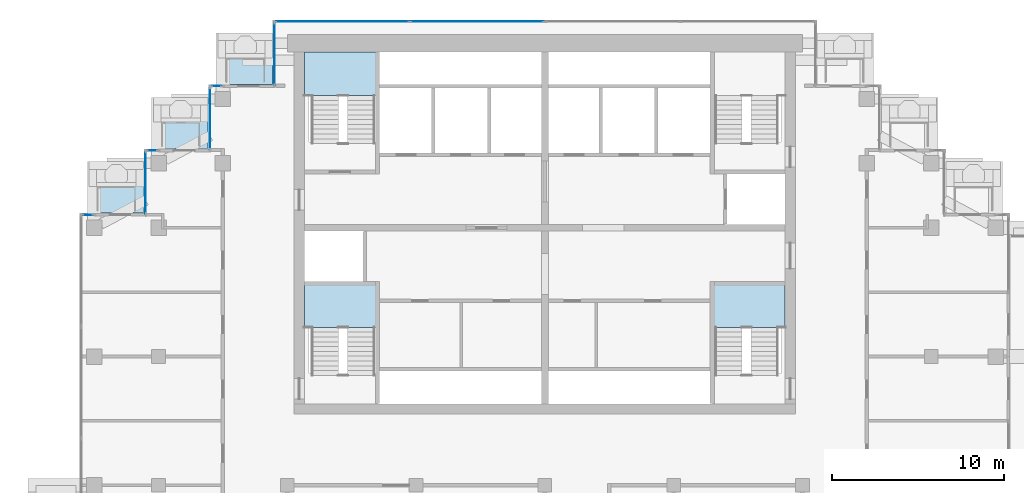
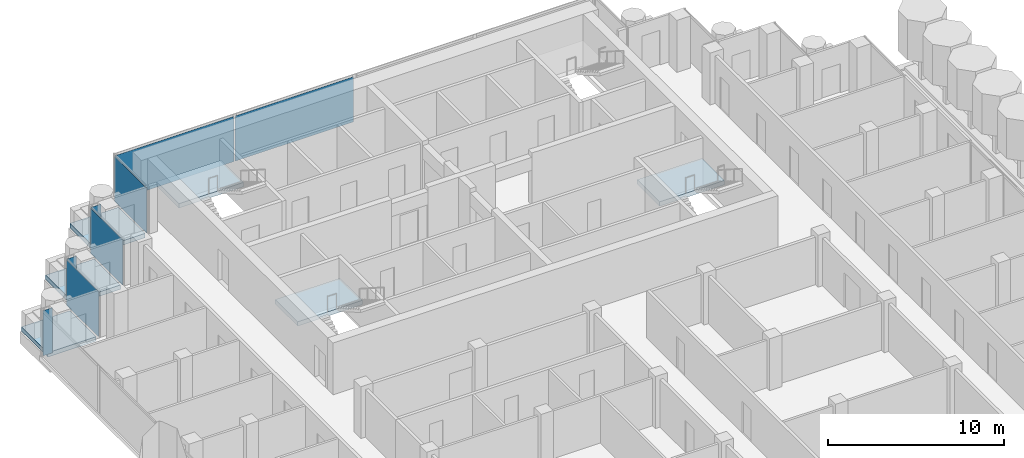
# One storey, part 9 of 19: 8 plates, 6 slabs, 10 elements without a shape of their own.
"""IFC4 building model written with IfcOpenShell, lengths in metres."""

from ifc_helpers import new_model, si_unit, direction, frame, origin, origin_2d, place, context, subcontext, project, spatial, polyline, rectangle, outline, extrude, material, layer, layer_set, type_object, element, aggregate, save


model = new_model("IFC4")

# Units and contexts
model_context = context("Model", 3, precision=1e-05, world=origin(), true_north=direction((0.0, 1.0)))
body_context = subcontext(model_context, "Body", "Model", "MODEL_VIEW")
ifc_project = project(units=[si_unit("LENGTHUNIT", "METRE"), si_unit("AREAUNIT", "SQUARE_METRE"), si_unit("VOLUMEUNIT", "CUBIC_METRE"), si_unit("PLANEANGLEUNIT", "RADIAN"), si_unit("MASSUNIT", "GRAM", prefix="KILO")], contexts=[model_context])

# Site, building, storey
site_placement = place(None, origin())
site = spatial("IfcSite", under=ifc_project, at=site_placement, CompositionType="ELEMENT")
building_placement = place(site_placement, origin())
building = spatial("IfcBuilding", under=site, at=building_placement, Name="Pilkhan Gate Tower", CompositionType="ELEMENT")
storey_placement = place(building_placement, frame((0.0, 0.0, 246.300048828125)))
storey = spatial("IfcBuildingStorey", under=building, at=storey_placement, Name="L64", CompositionType="ELEMENT", Elevation=246.300048828125)

# Slabs
ifc_material_1 = material(Name="Concrete C60/75", Category="concrete")
ifc_layer_1 = layer(ifc_material_1, 0.300048828125)
ifc_layer_set_1 = layer_set([ifc_layer_1], Name="Balcony tray slab TR300")
slab_type_1 = type_object("IfcSlabType", Name="Balcony tray slab TR300", PredefinedType="FLOOR", material=ifc_layer_set_1)
slab_1_placement = place(storey_placement, frame((0.0, 0.0, -0.300048828125)))
element("IfcSlab", 1, at=slab_1_placement, inside=storey, type_object=slab_type_1, Name="Balcony tray L64 N", PredefinedType="FLOOR", context=body_context, shape_type="SweptSolid", body=[
    extrude(outline(polyline([(59.14990234375, 90.85009765625), (59.14990234375, 93.85009765625), (55.949951171875, 93.85009765625), (55.949951171875, 90.85009765625), (59.14990234375, 90.85009765625)])), origin(), (0.0, 0.0, 1.0), 0.300048828125),
])
slab_2_placement = place(storey_placement, frame((0.0, 0.0, -0.300048828125)))
element("IfcSlab", 2, at=slab_2_placement, inside=storey, type_object=slab_type_1, Name="Balcony tray L64 N", PredefinedType="FLOOR", context=body_context, shape_type="SweptSolid", body=[
    extrude(outline(polyline([(55.3798828125, 87.1201171875), (55.3798828125, 90.10009765625), (52.199951171875, 90.10009765625), (52.199951171875, 87.1201171875), (55.3798828125, 87.1201171875)])), origin(), (0.0, 0.0, 1.0), 0.300048828125),
])
slab_3_placement = place(storey_placement, frame((0.0, 0.0, -0.300048828125)))
element("IfcSlab", 3, at=slab_3_placement, inside=storey, type_object=slab_type_1, Name="Balcony tray L64 N", PredefinedType="FLOOR", context=body_context, shape_type="SweptSolid", body=[
    extrude(outline(polyline([(51.6298828125, 83.3701171875), (51.6298828125, 86.35009765625), (48.449951171875, 86.35009765625), (48.449951171875, 83.3701171875), (51.6298828125, 83.3701171875)])), origin(), (0.0, 0.0, 1.0), 0.300048828125),
])

# Curtain wall, plates
ifc_material_2 = material(Name="Pale anodised aluminium, clear low-iron double glazing", Category="aluminium")
curtain_wall_type = type_object("IfcCurtainWallType", Name="Office unitised curtain wall CW-O2", PredefinedType="USERDEFINED", material=ifc_material_2)
curtain_wall_1_placement = place(storey_placement, origin())
curtain_wall_1 = element("IfcCurtainWall", 4, at=curtain_wall_1_placement, inside=storey, type_object=curtain_wall_type, Name="Office unitised curtain wall CW-O2 L64 N", ObjectType="UNITISED CURTAIN WALL", PredefinedType="USERDEFINED")
ifc_material_3 = material(Name="Clear low-iron double glazing", Category="glass")
ifc_layer_2 = layer(ifc_material_3, 0.031982421875)
ifc_layer_set_2 = layer_set([ifc_layer_2], Name="Glass panel CW-O2 32")
plate_type = type_object("IfcPlateType", Name="Glass panel CW-O2 32", PredefinedType="CURTAIN_PANEL", material=ifc_layer_set_2)
plate_1_placement = place(storey_placement, frame((63.203857421875, 94.5, 0.0), z_axis=(0.0, 0.0, 1.0), x_axis=(1.0, 0.0, 0.0)))
plate_1 = element("IfcPlate", 5, at=plate_1_placement, type_object=plate_type, Name="CW-O2 panel 1", PredefinedType="CURTAIN_PANEL", context=body_context, shape_type="SweptSolid", body=[
    extrude(rectangle(XDim=7.777587890625, YDim=0.031982421875, at=origin_2d()), origin(), (0.0, 0.0, 1.0), 3.135009765625),
])
plate_2_placement = place(storey_placement, frame((71.046142578125, 94.5, 0.0), z_axis=(0.0, 0.0, 1.0), x_axis=(1.0, 0.0, 0.0)))
plate_2 = element("IfcPlate", 6, at=plate_2_placement, type_object=plate_type, Name="CW-O2 panel 2", PredefinedType="CURTAIN_PANEL", context=body_context, shape_type="SweptSolid", body=[
    extrude(rectangle(XDim=7.777587890625, YDim=0.031982421875, at=origin_2d()), origin(), (0.0, 0.0, 1.0), 3.135009765625),
])
aggregate(curtain_wall_1, [plate_1, plate_2])

# Curtain wall, plate
curtain_wall_2_placement = place(storey_placement, origin())
curtain_wall_2 = element("IfcCurtainWall", 7, at=curtain_wall_2_placement, inside=storey, type_object=curtain_wall_type, Name="Office unitised curtain wall CW-O2 L64 W", ObjectType="UNITISED CURTAIN WALL", PredefinedType="USERDEFINED")
plate_3_placement = place(storey_placement, frame((59.25, 92.625, 0.0), z_axis=(0.0, 0.0, 1.0), x_axis=(0.0, 1.0, 0.0)))
plate_3 = element("IfcPlate", 8, at=plate_3_placement, type_object=plate_type, Name="CW-O2 panel 1", PredefinedType="CURTAIN_PANEL", context=body_context, shape_type="SweptSolid", body=[
    extrude(rectangle(XDim=3.6201171875, YDim=0.031982421875, at=origin_2d()), origin(), (0.0, 0.0, 1.0), 3.135009765625),
])
aggregate(curtain_wall_2, [plate_3])

curtain_wall_3_placement = place(storey_placement, origin())
curtain_wall_3 = element("IfcCurtainWall", 9, at=curtain_wall_3_placement, inside=storey, type_object=curtain_wall_type, Name="Office unitised curtain wall CW-O2 L64 N", ObjectType="UNITISED CURTAIN WALL", PredefinedType="USERDEFINED")
plate_4_placement = place(storey_placement, frame((55.875, 90.75, 0.0), z_axis=(0.0, 0.0, 1.0), x_axis=(1.0, 0.0, 0.0)))
plate_4 = element("IfcPlate", 10, at=plate_4_placement, type_object=plate_type, Name="CW-O2 panel 1", PredefinedType="CURTAIN_PANEL", context=body_context, shape_type="SweptSolid", body=[
    extrude(rectangle(XDim=0.6201171875, YDim=0.031982421875, at=origin_2d()), origin(), (0.0, 0.0, 1.0), 3.135009765625),
])
aggregate(curtain_wall_3, [plate_4])

curtain_wall_4_placement = place(storey_placement, origin())
curtain_wall_4 = element("IfcCurtainWall", 11, at=curtain_wall_4_placement, inside=storey, type_object=curtain_wall_type, Name="Office unitised curtain wall CW-O2 L64 W", ObjectType="UNITISED CURTAIN WALL", PredefinedType="USERDEFINED")
plate_5_placement = place(storey_placement, frame((55.5, 88.875, 0.0), z_axis=(0.0, 0.0, 1.0), x_axis=(0.0, 1.0, 0.0)))
plate_5 = element("IfcPlate", 12, at=plate_5_placement, type_object=plate_type, Name="CW-O2 panel 1", PredefinedType="CURTAIN_PANEL", context=body_context, shape_type="SweptSolid", body=[
    extrude(rectangle(XDim=3.6201171875, YDim=0.031982421875, at=origin_2d()), origin(), (0.0, 0.0, 1.0), 3.135009765625),
])
aggregate(curtain_wall_4, [plate_5])

curtain_wall_5_placement = place(storey_placement, origin())
curtain_wall_5 = element("IfcCurtainWall", 13, at=curtain_wall_5_placement, inside=storey, type_object=curtain_wall_type, Name="Office unitised curtain wall CW-O2 L64 N", ObjectType="UNITISED CURTAIN WALL", PredefinedType="USERDEFINED")
plate_6_placement = place(storey_placement, frame((52.125, 87.0, 0.0), z_axis=(0.0, 0.0, 1.0), x_axis=(1.0, 0.0, 0.0)))
plate_6 = element("IfcPlate", 14, at=plate_6_placement, type_object=plate_type, Name="CW-O2 panel 1", PredefinedType="CURTAIN_PANEL", context=body_context, shape_type="SweptSolid", body=[
    extrude(rectangle(XDim=0.6201171875, YDim=0.031982421875, at=origin_2d()), origin(), (0.0, 0.0, 1.0), 3.135009765625),
])
aggregate(curtain_wall_5, [plate_6])

curtain_wall_6_placement = place(storey_placement, origin())
curtain_wall_6 = element("IfcCurtainWall", 15, at=curtain_wall_6_placement, inside=storey, type_object=curtain_wall_type, Name="Office unitised curtain wall CW-O2 L64 W", ObjectType="UNITISED CURTAIN WALL", PredefinedType="USERDEFINED")
plate_7_placement = place(storey_placement, frame((51.75, 85.125, 0.0), z_axis=(0.0, 0.0, 1.0), x_axis=(0.0, 1.0, 0.0)))
plate_7 = element("IfcPlate", 16, at=plate_7_placement, type_object=plate_type, Name="CW-O2 panel 1", PredefinedType="CURTAIN_PANEL", context=body_context, shape_type="SweptSolid", body=[
    extrude(rectangle(XDim=3.6201171875, YDim=0.031982421875, at=origin_2d()), origin(), (0.0, 0.0, 1.0), 3.135009765625),
])
aggregate(curtain_wall_6, [plate_7])

curtain_wall_7_placement = place(storey_placement, origin())
curtain_wall_7 = element("IfcCurtainWall", 17, at=curtain_wall_7_placement, inside=storey, type_object=curtain_wall_type, Name="Office unitised curtain wall CW-O2 L64 N", ObjectType="UNITISED CURTAIN WALL", PredefinedType="USERDEFINED")
plate_8_placement = place(storey_placement, frame((48.375, 83.25, 0.0), z_axis=(0.0, 0.0, 1.0), x_axis=(1.0, 0.0, 0.0)))
plate_8 = element("IfcPlate", 18, at=plate_8_placement, type_object=plate_type, Name="CW-O2 panel 1", PredefinedType="CURTAIN_PANEL", context=body_context, shape_type="SweptSolid", body=[
    extrude(rectangle(XDim=0.6201171875, YDim=0.031982421875, at=origin_2d()), origin(), (0.0, 0.0, 1.0), 3.135009765625),
])
aggregate(curtain_wall_7, [plate_8])

# Stair, slab
ifc_material_4 = material(Name="Concrete C40/50 precast", Category="concrete")
stair_type_1 = type_object("IfcStairType", Name="Stair ST1 164x280", PredefinedType="HALF_TURN_STAIR", material=ifc_material_4)
stair_1_placement = place(storey_placement, origin())
stair_1 = element("IfcStair", 19, at=stair_1_placement, inside=storey, type_object=stair_type_1, Name="Stair ST1 L64", PredefinedType="HALF_TURN_STAIR")
ifc_material_5 = material(Name="Concrete C40/50", Category="concrete")
ifc_layer_3 = layer(ifc_material_5, 0.199951171875)
ifc_layer_set_3 = layer_set([ifc_layer_3], Name="Stair landing SL200")
slab_type_2 = type_object("IfcSlabType", Name="Stair landing SL200", PredefinedType="LANDING", material=ifc_layer_set_3)
slab_4_placement = place(storey_placement, frame((0.0, 0.0, 1.5)))
slab_4 = element("IfcSlab", 20, at=slab_4_placement, type_object=slab_type_2, Name="ST1 landing 1", PredefinedType="LANDING", context=body_context, shape_type="SweptSolid", body=[
    extrude(outline(polyline([(89.0, 76.699951171875), (89.0, 79.25), (84.75, 79.25), (84.75, 76.699951171875), (89.0, 76.699951171875)])), origin(), (0.0, 0.0, 1.0), 0.300048828125),
])
aggregate(stair_1, [slab_4])

stair_type_2 = type_object("IfcStairType", Name="Stair ST2 164x280", PredefinedType="HALF_TURN_STAIR", material=ifc_material_4)
stair_2_placement = place(storey_placement, origin())
stair_2 = element("IfcStair", 21, at=stair_2_placement, inside=storey, type_object=stair_type_2, Name="Stair ST2 L64", PredefinedType="HALF_TURN_STAIR")
slab_5_placement = place(storey_placement, frame((0.0, 0.0, 1.5)))
slab_5 = element("IfcSlab", 22, at=slab_5_placement, type_object=slab_type_2, Name="ST2 landing 1", PredefinedType="LANDING", context=body_context, shape_type="SweptSolid", body=[
    extrude(outline(polyline([(65.25, 76.699951171875), (65.25, 79.25), (61.0, 79.25), (61.0, 76.699951171875), (65.25, 76.699951171875)])), origin(), (0.0, 0.0, 1.0), 0.300048828125),
])
aggregate(stair_2, [slab_5])

stair_type_3 = type_object("IfcStairType", Name="Stair ST3 164x280", PredefinedType="HALF_TURN_STAIR", material=ifc_material_4)
stair_3_placement = place(storey_placement, origin())
stair_3 = element("IfcStair", 23, at=stair_3_placement, inside=storey, type_object=stair_type_3, Name="Stair ST3 L64", PredefinedType="HALF_TURN_STAIR")
slab_6_placement = place(storey_placement, frame((0.0, 0.0, 1.5)))
slab_6 = element("IfcSlab", 24, at=slab_6_placement, type_object=slab_type_2, Name="ST3 landing 1", PredefinedType="LANDING", context=body_context, shape_type="SweptSolid", body=[
    extrude(outline(polyline([(65.25, 90.199951171875), (65.25, 92.75), (61.0, 92.75), (61.0, 90.199951171875), (65.25, 90.199951171875)])), origin(), (0.0, 0.0, 1.0), 0.300048828125),
])
aggregate(stair_3, [slab_6])

save(model, "model.ifc")
